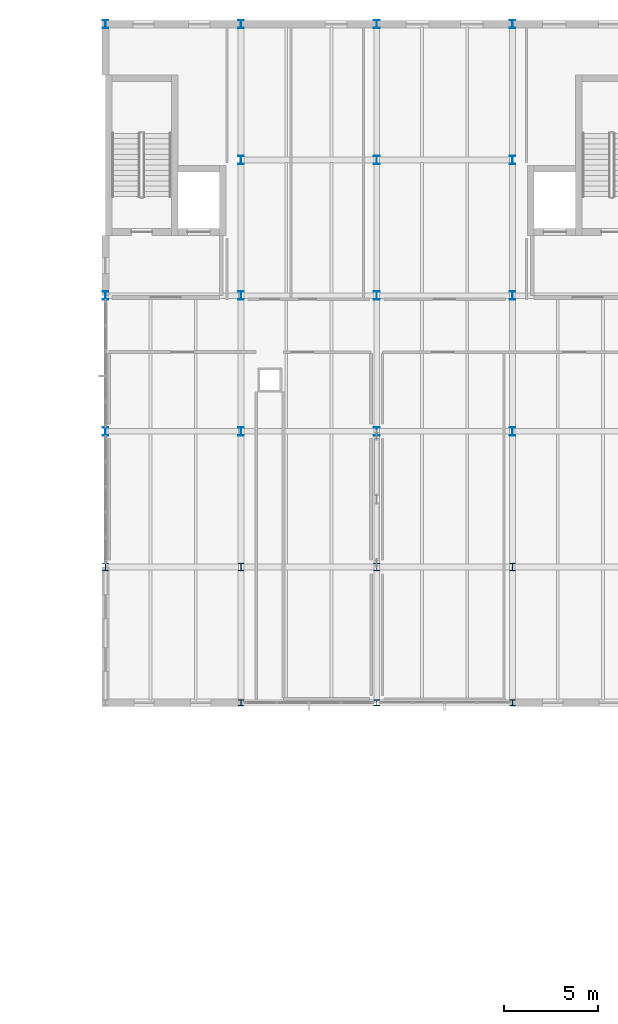
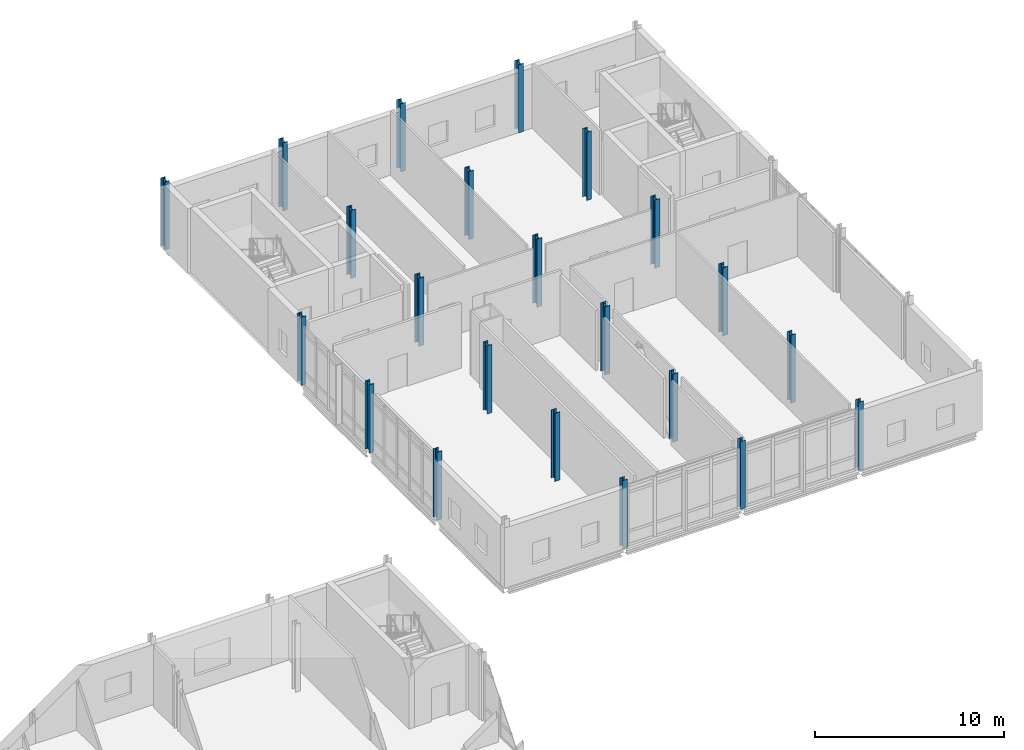
# One storey, part 8 of 76: 22 columns.
"""IFC4 building model written with IfcOpenShell, lengths in metres."""

import ifcopenshell
import ifcopenshell.guid

model = None  # the IFC model being written
_history = None  # IfcOwnerHistory: only IFC2X3 demands one
_inside = {}  # id of a spatial element -> (the spatial element, [elements in it])
_under = {}  # id of a project, library or spatial element -> (it, [spatial elements below it])
_declared = {}  # id of a project -> (the project, [libraries it declares])
_typed = {}  # id of a type object -> (the type object, [elements of that type])
_made_of = {}  # id of a material, layer set ... -> (it, [elements and type objects made of it])


def new_model(schema):
    """Start an empty IFC model of exactly this schema.

    Asked for "IFC4X3", IfcOpenShell would pick the latest addendum, in which some entities
    have other attributes; the version numbers below select the first issue.
    IFC2X3 requires an IfcOwnerHistory on every rooted entity: one is made here for all.
    """
    global model, _history
    if schema == "IFC4X3":
        model = ifcopenshell.file(schema_version=(4, 3, 0, 0))
    else:
        model = ifcopenshell.file(schema=schema)
    _inside.clear()
    _under.clear()
    _declared.clear()
    _typed.clear()
    _made_of.clear()
    _history = None
    if model.schema == "IFC2X3":
        org = make("IfcOrganization", Name="unknown")
        user = make(
            "IfcPersonAndOrganization",
            ThePerson=make("IfcPerson", FamilyName="unknown"),
            TheOrganization=org,
        )
        app = make(
            "IfcApplication",
            ApplicationDeveloper=org,
            Version="unknown",
            ApplicationFullName="unknown",
            ApplicationIdentifier="unknown",
        )
        _history = make(
            "IfcOwnerHistory",
            OwningUser=user,
            OwningApplication=app,
            ChangeAction="ADDED",
            CreationDate=0,
        )
    return model


def make(cls, **values):
    """One entity of the class cls with the attributes given. An attribute that is None is left unset."""
    return model.create_entity(
        cls, **{name: value for name, value in values.items() if value is not None}
    )


def rooted(cls, **values):
    """An entity with a GlobalId (a new one), such as an element, a storey or a relation."""
    return make(cls, GlobalId=ifcopenshell.guid.new(), OwnerHistory=_history, **values)


def si_unit(unit_type, name, prefix=None):
    """IfcSIUnit, for example si_unit("LENGTHUNIT", "METRE", prefix="MILLI")."""
    return make("IfcSIUnit", UnitType=unit_type, Prefix=prefix, Name=name)


def assignment(units):
    """IfcUnitAssignment: the units of a project."""
    return None if units is None else make("IfcUnitAssignment", Units=units)


def point(xyz):
    """IfcCartesianPoint."""
    return None if xyz is None else make("IfcCartesianPoint", Coordinates=xyz)


def direction(xyz):
    """IfcDirection."""
    return None if xyz is None else make("IfcDirection", DirectionRatios=xyz)


def frame(location, z_axis=None, x_axis=None):
    """IfcAxis2Placement3D, a coordinate frame: its origin and axes. An axis left out is left unset."""
    return make(
        "IfcAxis2Placement3D",
        Location=point(location),
        Axis=direction(z_axis),
        RefDirection=direction(x_axis),
    )


def frame_2d(location, x_axis=None):
    """IfcAxis2Placement2D, a coordinate frame in the plane: its origin and x axis."""
    return make(
        "IfcAxis2Placement2D", Location=point(location), RefDirection=direction(x_axis)
    )


def origin():
    """The frame at (0, 0, 0) with its axes left unset."""
    return frame((0.0, 0.0, 0.0))


def origin_2d():
    """The frame at (0, 0) in the plane with its x axis left unset."""
    return frame_2d((0.0, 0.0))


def place(relative_to, where):
    """IfcLocalPlacement: puts the frame where relative to a parent placement (None: the world)."""
    return make(
        "IfcLocalPlacement", PlacementRelTo=relative_to, RelativePlacement=where
    )


def context(
    kind, dimensions, precision=None, world=None, true_north=None, identifier=None
):
    """IfcGeometricRepresentationContext, for example the 3D "Model" context."""
    return make(
        "IfcGeometricRepresentationContext",
        ContextIdentifier=identifier,
        ContextType=kind,
        CoordinateSpaceDimension=dimensions,
        Precision=precision,
        WorldCoordinateSystem=world,
        TrueNorth=true_north,
    )


def subcontext(parent, identifier, kind, view, scale=None):
    """IfcGeometricRepresentationSubContext, for example "Body" below "Model"."""
    return make(
        "IfcGeometricRepresentationSubContext",
        ContextIdentifier=identifier,
        ContextType=kind,
        ParentContext=parent,
        TargetScale=scale,
        TargetView=view,
    )


def project(units=None, contexts=None):
    """IfcProject with its units and contexts."""
    return rooted(
        "IfcProject",
        Name="project",
        RepresentationContexts=contexts,
        UnitsInContext=assignment(units),
    )


def spatial(cls, under=None, at=None, **own):
    """A site, building, storey or space (cls), placed at a placement, below another one or the project."""
    s = rooted(cls, ObjectPlacement=at, **own)
    if under is not None:
        _under.setdefault(under.id(), (under, []))[1].append(s)
    return s


def profile(cls, at=None, kind="AREA", **sizes):
    """A parametric profile (cls). Its sizes go by their IFC names, for example OverallWidth=200.0."""
    return make(cls, ProfileType=kind, Position=at, **sizes)


def i_section(**sizes):
    """IfcIShapeProfileDef."""
    return profile("IfcIShapeProfileDef", **sizes)


def extrude(swept, where, along, depth):
    """IfcExtrudedAreaSolid: the profile swept, set in the frame where, extruded along a direction by depth."""
    return make(
        "IfcExtrudedAreaSolid",
        SweptArea=swept,
        Position=where,
        ExtrudedDirection=direction(along),
        Depth=depth,
    )


def shape(context_of_items, identifier, shape_type, items):
    """IfcShapeRepresentation: the items that make up one representation, for example the "Body"."""
    return make(
        "IfcShapeRepresentation",
        ContextOfItems=context_of_items,
        RepresentationIdentifier=identifier,
        RepresentationType=shape_type,
        Items=items,
    )


def material(Name=None, Category=None):
    """IfcMaterial."""
    return make("IfcMaterial", Name=Name, Category=Category)


def material_profile(
    of_material, cross_section, Name=None, Category=None, Priority=None
):
    """IfcMaterialProfile: a cross section and its material."""
    return make(
        "IfcMaterialProfile",
        Name=Name,
        Material=of_material,
        Profile=cross_section,
        Priority=Priority,
        Category=Category,
    )


def profile_set(profiles, Name=None, composite=None):
    """IfcMaterialProfileSet."""
    return make(
        "IfcMaterialProfileSet",
        Name=Name,
        MaterialProfiles=profiles,
        CompositeProfile=composite,
    )


def made_of(thing, what):
    """Note that an element or type object is made of a material, layer set ...; save() writes the relation."""
    if what is not None:
        _made_of.setdefault(what.id(), (what, []))[1].append(thing)
    return thing


def type_object(cls, material=None, **own):
    """A type object (cls), such as IfcWallType, which elements share."""
    return made_of(rooted(cls, **own), material)


def element(
    cls,
    number,
    at=None,
    inside=None,
    cuts=None,
    type_object=None,
    material=None,
    context=None,
    identifier="Body",
    shape_type=None,
    held_by="IfcProductDefinitionShape",
    body=None,
    shapes=None,
    **own,
):
    """One element of the class cls, such as IfcWall. Its Tag is "e" and its number.

    at: its placement. inside: the storey or other place that contains it. cuts: it is an
    opening in that element (IfcRelVoidsElement). A single representation is given by context,
    identifier, shape_type and body (its items); several are given by shapes. held_by: the class
    of the entity that holds the representations. save() writes the other relations.
    """
    e = rooted(cls, Tag="e%d" % number, ObjectPlacement=at, **own)
    if body is not None:
        shapes = [shape(context, identifier, shape_type, body)]
    if shapes is not None:
        e.Representation = make(held_by, Representations=shapes)
    if inside is not None:
        _inside.setdefault(inside.id(), (inside, []))[1].append(e)
    if cuts is not None:
        rooted(
            "IfcRelVoidsElement", RelatingBuildingElement=cuts, RelatedOpeningElement=e
        )
    if type_object is not None:
        _typed.setdefault(type_object.id(), (type_object, []))[1].append(e)
    return made_of(e, material)


def aggregate(whole, parts):
    """IfcRelAggregates: a whole, such as a stair, and the parts it consists of."""
    return rooted("IfcRelAggregates", RelatingObject=whole, RelatedObjects=parts)


def save(model, path):
    """Write the relations noted so far, then the file.

    IfcRelAggregates (storeys below a building ...), IfcRelContainedInSpatialStructure (elements
    in a storey), IfcRelDefinesByType, IfcRelAssociatesMaterial and IfcRelDeclares: one each for
    every whole, place, type object, material and project.
    """
    for whole, parts in _under.values():
        aggregate(whole, parts)
    for where, things in _inside.values():
        rooted(
            "IfcRelContainedInSpatialStructure",
            RelatedElements=things,
            RelatingStructure=where,
        )
    for kind, things in _typed.values():
        rooted("IfcRelDefinesByType", RelatedObjects=things, RelatingType=kind)
    for what, things in _made_of.values():
        rooted("IfcRelAssociatesMaterial", RelatedObjects=things, RelatingMaterial=what)
    for by, libraries in _declared.values():
        rooted("IfcRelDeclares", RelatingContext=by, RelatedDefinitions=libraries)
    model.write(path)


model = new_model("IFC4")

# Units and contexts
model_context = context("Model", 3, precision=1e-05, world=origin(), true_north=direction((0.0, 1.0)))
body_context = subcontext(model_context, "Body", "Model", "MODEL_VIEW")
ifc_project = project(units=[si_unit("LENGTHUNIT", "METRE"), si_unit("AREAUNIT", "SQUARE_METRE"), si_unit("VOLUMEUNIT", "CUBIC_METRE"), si_unit("PLANEANGLEUNIT", "RADIAN"), si_unit("MASSUNIT", "GRAM", prefix="KILO")], contexts=[model_context])

# Site, building, storey
site_placement = place(None, origin())
site = spatial("IfcSite", under=ifc_project, at=site_placement, CompositionType="ELEMENT")
building_placement = place(site_placement, origin())
building = spatial("IfcBuilding", under=site, at=building_placement, Name="Zarrinpeak Specialist Clinic", CompositionType="ELEMENT")
storey_placement = place(building_placement, frame((0.0, 0.0, 5.199951171875)))
storey = spatial("IfcBuildingStorey", under=building, at=storey_placement, Name="L01", CompositionType="ELEMENT", Elevation=5.199951171875)

# Columns
ifc_material = material(Name="Steel S355", Category="steel")
ifc_material_profile_1 = material_profile(ifc_material, i_section(OverallWidth=0.300048828125, OverallDepth=0.320068359375, WebThickness=0.011474609375, FlangeThickness=0.0205078125, FilletRadius=0.027099609375, at=origin_2d()), Name="HEB 320")
ifc_profile_set_1 = profile_set([ifc_material_profile_1], Name="Steel S355")
column_type_1 = type_object("IfcColumnType", Name="COL-HEB320", PredefinedType="COLUMN", material=ifc_profile_set_1)
for number, where, z_axis, x_axis, name in (
    (1, (43.199951171875, 82.0, 0.0), (0.0, 0.0, 1.0), (1.0, 0.0, 0.0), "L01 Structural Column COL-L01-084"),
    (2, (50.39990234375, 82.0, 0.0), (0.0, 0.0, 1.0), (1.0, 0.0, 0.0), "L01 Structural Column COL-L01-095"),
    (3, (57.60009765625, 82.0, 0.0), (0.0, 0.0, 1.0), (1.0, 0.0, 0.0), "L01 Structural Column COL-L01-105"),
):
    element("IfcColumn", number, at=place(storey_placement, frame(where, z_axis=z_axis, x_axis=x_axis)), inside=storey, type_object=column_type_1, Name=name, PredefinedType="COLUMN", context=body_context, shape_type="SweptSolid", body=[
        extrude(i_section(OverallWidth=0.300048828125, OverallDepth=0.320068359375, WebThickness=0.011474609375, FlangeThickness=0.0205078125, FilletRadius=0.027099609375, at=origin_2d()), origin(), (0.0, 0.0, 1.0), 4.400146484375),
    ])
ifc_material_profile_2 = material_profile(ifc_material, i_section(OverallWidth=0.300048828125, OverallDepth=0.39990234375, WebThickness=0.013427734375, FlangeThickness=0.02392578125, FilletRadius=0.027099609375, at=origin_2d()), Name="HEB 400")
ifc_profile_set_2 = profile_set([ifc_material_profile_2], Name="Steel S355")
column_type_2 = type_object("IfcColumnType", Name="COL-HEB400", PredefinedType="COLUMN", material=ifc_profile_set_2)
for number, where, z_axis, x_axis, name in (
    (4, (36.0, 89.199951171875, 0.0), (0.0, 0.0, 1.0), (1.0, 0.0, 0.0), "L01 Structural Column COL-L01-075"),
    (5, (43.199951171875, 89.199951171875, 0.0), (0.0, 0.0, 1.0), (1.0, 0.0, 0.0), "L01 Structural Column COL-L01-085"),
    (6, (50.39990234375, 89.199951171875, 0.0), (0.0, 0.0, 1.0), (1.0, 0.0, 0.0), "L01 Structural Column COL-L01-096"),
    (7, (57.60009765625, 89.199951171875, 0.0), (0.0, 0.0, 1.0), (1.0, 0.0, 0.0), "L01 Structural Column COL-L01-106"),
):
    element("IfcColumn", number, at=place(storey_placement, frame(where, z_axis=z_axis, x_axis=x_axis)), inside=storey, type_object=column_type_2, Name=name, PredefinedType="COLUMN", context=body_context, shape_type="SweptSolid", body=[
        extrude(i_section(OverallWidth=0.300048828125, OverallDepth=0.39990234375, WebThickness=0.013427734375, FlangeThickness=0.02392578125, FilletRadius=0.027099609375, at=origin_2d()), origin(), (0.0, 0.0, 1.0), 4.400146484375),
    ])
ifc_material_profile_3 = material_profile(ifc_material, i_section(OverallWidth=0.300048828125, OverallDepth=0.449951171875, WebThickness=0.013916015625, FlangeThickness=0.02587890625, FilletRadius=0.027099609375, at=origin_2d()), Name="HEB 450")
ifc_profile_set_3 = profile_set([ifc_material_profile_3], Name="Steel S355")
column_type_3 = type_object("IfcColumnType", Name="COL-HEB450", PredefinedType="COLUMN", material=ifc_profile_set_3)
for number, where, z_axis, x_axis, name in (
    (8, (36.0, 96.39990234375, 0.0), (0.0, 0.0, 1.0), (1.0, 0.0, 0.0), "L01 Structural Column COL-L01-076"),
    (9, (36.0, 103.60009765625, 0.0), (0.0, 0.0, 1.0), (1.0, 0.0, 0.0), "L01 Structural Column COL-L01-077"),
    (10, (36.0, 118.0, 0.0), (0.0, 0.0, 1.0), (1.0, 0.0, 0.0), "L01 Structural Column COL-L01-078"),
    (11, (43.199951171875, 96.39990234375, 0.0), (0.0, 0.0, 1.0), (1.0, 0.0, 0.0), "L01 Structural Column COL-L01-086"),
    (12, (43.199951171875, 103.60009765625, 0.0), (0.0, 0.0, 1.0), (1.0, 0.0, 0.0), "L01 Structural Column COL-L01-087"),
    (13, (43.199951171875, 110.800048828125, 0.0), (0.0, 0.0, 1.0), (1.0, 0.0, 0.0), "L01 Structural Column COL-L01-088"),
    (14, (43.199951171875, 118.0, 0.0), (0.0, 0.0, 1.0), (1.0, 0.0, 0.0), "L01 Structural Column COL-L01-089"),
    (15, (50.39990234375, 96.39990234375, 0.0), (0.0, 0.0, 1.0), (1.0, 0.0, 0.0), "L01 Structural Column COL-L01-097"),
    (16, (50.39990234375, 103.60009765625, 0.0), (0.0, 0.0, 1.0), (1.0, 0.0, 0.0), "L01 Structural Column COL-L01-098"),
    (17, (50.39990234375, 110.800048828125, 0.0), (0.0, 0.0, 1.0), (1.0, 0.0, 0.0), "L01 Structural Column COL-L01-099"),
    (18, (50.39990234375, 118.0, 0.0), (0.0, 0.0, 1.0), (1.0, 0.0, 0.0), "L01 Structural Column COL-L01-100"),
    (19, (57.60009765625, 96.39990234375, 0.0), (0.0, 0.0, 1.0), (1.0, 0.0, 0.0), "L01 Structural Column COL-L01-107"),
    (20, (57.60009765625, 103.60009765625, 0.0), (0.0, 0.0, 1.0), (1.0, 0.0, 0.0), "L01 Structural Column COL-L01-108"),
    (21, (57.60009765625, 110.800048828125, 0.0), (0.0, 0.0, 1.0), (1.0, 0.0, 0.0), "L01 Structural Column COL-L01-109"),
    (22, (57.60009765625, 118.0, 0.0), (0.0, 0.0, 1.0), (1.0, 0.0, 0.0), "L01 Structural Column COL-L01-110"),
):
    element("IfcColumn", number, at=place(storey_placement, frame(where, z_axis=z_axis, x_axis=x_axis)), inside=storey, type_object=column_type_3, Name=name, PredefinedType="COLUMN", context=body_context, shape_type="SweptSolid", body=[
        extrude(i_section(OverallWidth=0.300048828125, OverallDepth=0.449951171875, WebThickness=0.013916015625, FlangeThickness=0.02587890625, FilletRadius=0.027099609375, at=origin_2d()), origin(), (0.0, 0.0, 1.0), 4.400146484375),
    ])

save(model, "model.ifc")
